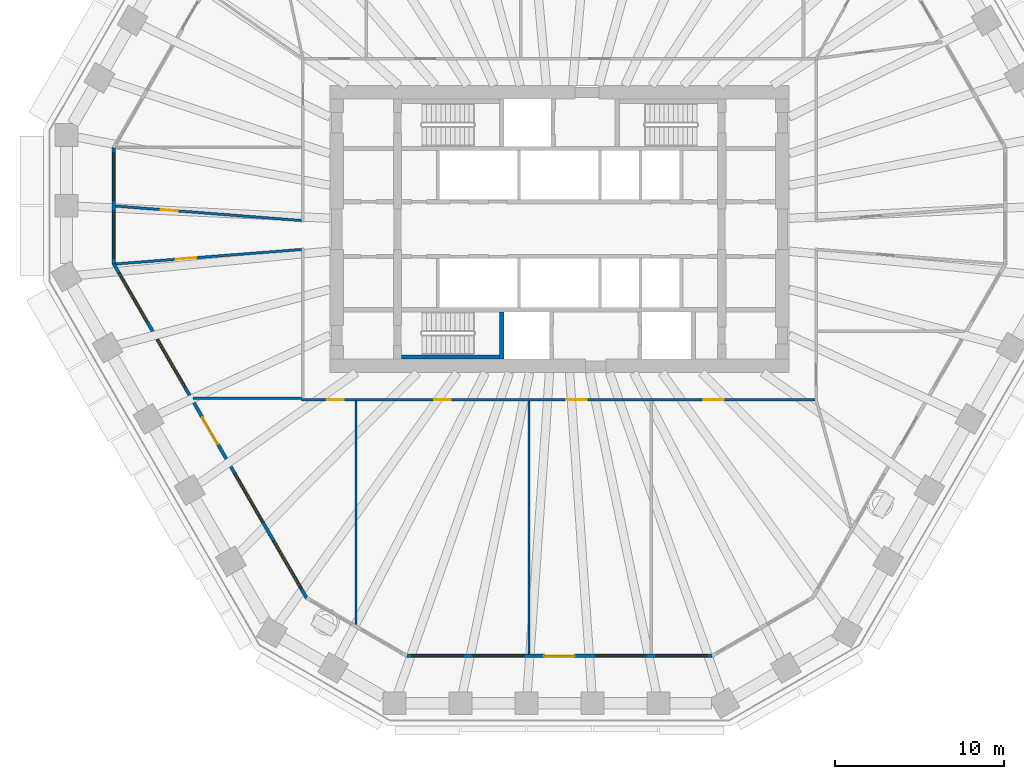
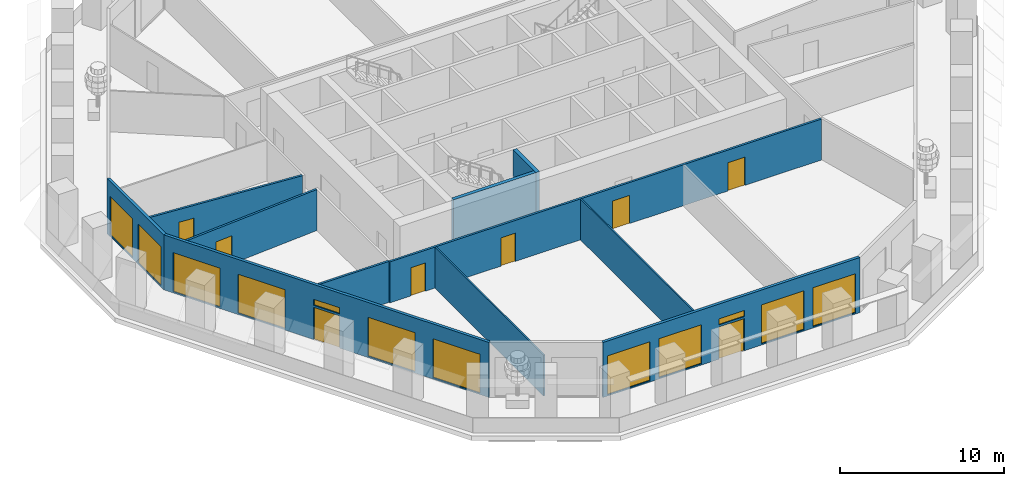
# One storey, part 3 of 12: 12 windows, 11 walls, 8 doors, 20 openings.
"""IFC4 building model written with IfcOpenShell, lengths in metres."""

import ifcopenshell
import ifcopenshell.guid

model = None  # the IFC model being written
_history = None  # IfcOwnerHistory: only IFC2X3 demands one
_inside = {}  # id of a spatial element -> (the spatial element, [elements in it])
_under = {}  # id of a project, library or spatial element -> (it, [spatial elements below it])
_declared = {}  # id of a project -> (the project, [libraries it declares])
_typed = {}  # id of a type object -> (the type object, [elements of that type])
_made_of = {}  # id of a material, layer set ... -> (it, [elements and type objects made of it])


def new_model(schema):
    """Start an empty IFC model of exactly this schema.

    Asked for "IFC4X3", IfcOpenShell would pick the latest addendum, in which some entities
    have other attributes; the version numbers below select the first issue.
    IFC2X3 requires an IfcOwnerHistory on every rooted entity: one is made here for all.
    """
    global model, _history
    if schema == "IFC4X3":
        model = ifcopenshell.file(schema_version=(4, 3, 0, 0))
    else:
        model = ifcopenshell.file(schema=schema)
    _inside.clear()
    _under.clear()
    _declared.clear()
    _typed.clear()
    _made_of.clear()
    _history = None
    if model.schema == "IFC2X3":
        org = make("IfcOrganization", Name="unknown")
        user = make(
            "IfcPersonAndOrganization",
            ThePerson=make("IfcPerson", FamilyName="unknown"),
            TheOrganization=org,
        )
        app = make(
            "IfcApplication",
            ApplicationDeveloper=org,
            Version="unknown",
            ApplicationFullName="unknown",
            ApplicationIdentifier="unknown",
        )
        _history = make(
            "IfcOwnerHistory",
            OwningUser=user,
            OwningApplication=app,
            ChangeAction="ADDED",
            CreationDate=0,
        )
    return model


def make(cls, **values):
    """One entity of the class cls with the attributes given. An attribute that is None is left unset."""
    return model.create_entity(
        cls, **{name: value for name, value in values.items() if value is not None}
    )


def rooted(cls, **values):
    """An entity with a GlobalId (a new one), such as an element, a storey or a relation."""
    return make(cls, GlobalId=ifcopenshell.guid.new(), OwnerHistory=_history, **values)


def si_unit(unit_type, name, prefix=None):
    """IfcSIUnit, for example si_unit("LENGTHUNIT", "METRE", prefix="MILLI")."""
    return make("IfcSIUnit", UnitType=unit_type, Prefix=prefix, Name=name)


def assignment(units):
    """IfcUnitAssignment: the units of a project."""
    return None if units is None else make("IfcUnitAssignment", Units=units)


def point(xyz):
    """IfcCartesianPoint."""
    return None if xyz is None else make("IfcCartesianPoint", Coordinates=xyz)


def direction(xyz):
    """IfcDirection."""
    return None if xyz is None else make("IfcDirection", DirectionRatios=xyz)


def frame(location, z_axis=None, x_axis=None):
    """IfcAxis2Placement3D, a coordinate frame: its origin and axes. An axis left out is left unset."""
    return make(
        "IfcAxis2Placement3D",
        Location=point(location),
        Axis=direction(z_axis),
        RefDirection=direction(x_axis),
    )


def frame_2d(location, x_axis=None):
    """IfcAxis2Placement2D, a coordinate frame in the plane: its origin and x axis."""
    return make(
        "IfcAxis2Placement2D", Location=point(location), RefDirection=direction(x_axis)
    )


def origin():
    """The frame at (0, 0, 0) with its axes left unset."""
    return frame((0.0, 0.0, 0.0))


def place(relative_to, where):
    """IfcLocalPlacement: puts the frame where relative to a parent placement (None: the world)."""
    return make(
        "IfcLocalPlacement", PlacementRelTo=relative_to, RelativePlacement=where
    )


def context(
    kind, dimensions, precision=None, world=None, true_north=None, identifier=None
):
    """IfcGeometricRepresentationContext, for example the 3D "Model" context."""
    return make(
        "IfcGeometricRepresentationContext",
        ContextIdentifier=identifier,
        ContextType=kind,
        CoordinateSpaceDimension=dimensions,
        Precision=precision,
        WorldCoordinateSystem=world,
        TrueNorth=true_north,
    )


def subcontext(parent, identifier, kind, view, scale=None):
    """IfcGeometricRepresentationSubContext, for example "Body" below "Model"."""
    return make(
        "IfcGeometricRepresentationSubContext",
        ContextIdentifier=identifier,
        ContextType=kind,
        ParentContext=parent,
        TargetScale=scale,
        TargetView=view,
    )


def project(units=None, contexts=None):
    """IfcProject with its units and contexts."""
    return rooted(
        "IfcProject",
        Name="project",
        RepresentationContexts=contexts,
        UnitsInContext=assignment(units),
    )


def spatial(cls, under=None, at=None, **own):
    """A site, building, storey or space (cls), placed at a placement, below another one or the project."""
    s = rooted(cls, ObjectPlacement=at, **own)
    if under is not None:
        _under.setdefault(under.id(), (under, []))[1].append(s)
    return s


def polyline(points):
    """IfcPolyline through the points."""
    return make("IfcPolyline", Points=[point(p) for p in points])


def profile(cls, at=None, kind="AREA", **sizes):
    """A parametric profile (cls). Its sizes go by their IFC names, for example OverallWidth=200.0."""
    return make(cls, ProfileType=kind, Position=at, **sizes)


def rectangle(**sizes):
    """IfcRectangleProfileDef."""
    return profile("IfcRectangleProfileDef", **sizes)


def outline(outer, holes=None, kind="AREA"):
    """IfcArbitraryClosedProfileDef: a profile drawn as a closed curve; with holes, ...WithVoids."""
    if holes is None:
        return make("IfcArbitraryClosedProfileDef", ProfileType=kind, OuterCurve=outer)
    return make(
        "IfcArbitraryProfileDefWithVoids",
        ProfileType=kind,
        OuterCurve=outer,
        InnerCurves=holes,
    )


def extrude(swept, where, along, depth):
    """IfcExtrudedAreaSolid: the profile swept, set in the frame where, extruded along a direction by depth."""
    return make(
        "IfcExtrudedAreaSolid",
        SweptArea=swept,
        Position=where,
        ExtrudedDirection=direction(along),
        Depth=depth,
    )


def shape(context_of_items, identifier, shape_type, items):
    """IfcShapeRepresentation: the items that make up one representation, for example the "Body"."""
    return make(
        "IfcShapeRepresentation",
        ContextOfItems=context_of_items,
        RepresentationIdentifier=identifier,
        RepresentationType=shape_type,
        Items=items,
    )


def material(Name=None, Category=None):
    """IfcMaterial."""
    return make("IfcMaterial", Name=Name, Category=Category)


def layer(
    of_material, thickness, ventilated=None, Name=None, Category=None, Priority=None
):
    """IfcMaterialLayer: one layer of a wall or slab, of a material (None: an air gap)."""
    return make(
        "IfcMaterialLayer",
        Material=of_material,
        LayerThickness=thickness,
        IsVentilated=ventilated,
        Name=Name,
        Category=Category,
        Priority=Priority,
    )


def layer_set(layers, Name=None):
    """IfcMaterialLayerSet."""
    return make("IfcMaterialLayerSet", MaterialLayers=layers, LayerSetName=Name)


def made_of(thing, what):
    """Note that an element or type object is made of a material, layer set ...; save() writes the relation."""
    if what is not None:
        _made_of.setdefault(what.id(), (what, []))[1].append(thing)
    return thing


def type_object(cls, material=None, **own):
    """A type object (cls), such as IfcWallType, which elements share."""
    return made_of(rooted(cls, **own), material)


def element(
    cls,
    number,
    at=None,
    inside=None,
    cuts=None,
    type_object=None,
    material=None,
    context=None,
    identifier="Body",
    shape_type=None,
    held_by="IfcProductDefinitionShape",
    body=None,
    shapes=None,
    **own,
):
    """One element of the class cls, such as IfcWall. Its Tag is "e" and its number.

    at: its placement. inside: the storey or other place that contains it. cuts: it is an
    opening in that element (IfcRelVoidsElement). A single representation is given by context,
    identifier, shape_type and body (its items); several are given by shapes. held_by: the class
    of the entity that holds the representations. save() writes the other relations.
    """
    e = rooted(cls, Tag="e%d" % number, ObjectPlacement=at, **own)
    if body is not None:
        shapes = [shape(context, identifier, shape_type, body)]
    if shapes is not None:
        e.Representation = make(held_by, Representations=shapes)
    if inside is not None:
        _inside.setdefault(inside.id(), (inside, []))[1].append(e)
    if cuts is not None:
        rooted(
            "IfcRelVoidsElement", RelatingBuildingElement=cuts, RelatedOpeningElement=e
        )
    if type_object is not None:
        _typed.setdefault(type_object.id(), (type_object, []))[1].append(e)
    return made_of(e, material)


def fill(opening, filler):
    """IfcRelFillsElement: the door or window that sits in an opening."""
    return rooted(
        "IfcRelFillsElement",
        RelatingOpeningElement=opening,
        RelatedBuildingElement=filler,
    )


def aggregate(whole, parts):
    """IfcRelAggregates: a whole, such as a stair, and the parts it consists of."""
    return rooted("IfcRelAggregates", RelatingObject=whole, RelatedObjects=parts)


def save(model, path):
    """Write the relations noted so far, then the file.

    IfcRelAggregates (storeys below a building ...), IfcRelContainedInSpatialStructure (elements
    in a storey), IfcRelDefinesByType, IfcRelAssociatesMaterial and IfcRelDeclares: one each for
    every whole, place, type object, material and project.
    """
    for whole, parts in _under.values():
        aggregate(whole, parts)
    for where, things in _inside.values():
        rooted(
            "IfcRelContainedInSpatialStructure",
            RelatedElements=things,
            RelatingStructure=where,
        )
    for kind, things in _typed.values():
        rooted("IfcRelDefinesByType", RelatedObjects=things, RelatingType=kind)
    for what, things in _made_of.values():
        rooted("IfcRelAssociatesMaterial", RelatedObjects=things, RelatingMaterial=what)
    for by, libraries in _declared.values():
        rooted("IfcRelDeclares", RelatingContext=by, RelatedDefinitions=libraries)
    model.write(path)


model = new_model("IFC4")

# Units and contexts
model_context = context("Model", 3, precision=1e-05, world=origin(), true_north=direction((0.0, 1.0)))
body_context = subcontext(model_context, "Body", "Model", "MODEL_VIEW")
ifc_project = project(units=[si_unit("LENGTHUNIT", "METRE"), si_unit("AREAUNIT", "SQUARE_METRE"), si_unit("VOLUMEUNIT", "CUBIC_METRE"), si_unit("PLANEANGLEUNIT", "RADIAN"), si_unit("MASSUNIT", "GRAM", prefix="KILO")], contexts=[model_context])

# Site, building, storey
site_placement = place(None, origin())
site = spatial("IfcSite", under=ifc_project, at=site_placement, CompositionType="ELEMENT")
building_placement = place(site_placement, origin())
building = spatial("IfcBuilding", under=site, at=building_placement, Name="Frailejon Research Tower", CompositionType="ELEMENT")
storey_placement = place(building_placement, frame((0.0, 0.0, 130.800048828125)))
storey = spatial("IfcBuildingStorey", under=building, at=storey_placement, Name="L28", CompositionType="ELEMENT", Elevation=130.800048828125)

# Wall, opening, door
ifc_material_1 = material(Name="Gypsum board and masonry partition", Category="masonry")
ifc_layer_1 = layer(ifc_material_1, 0.14990234375)
ifc_layer_set_1 = layer_set([ifc_layer_1], Name="Corridor wall EI 60, gypsum on steel studs 150")
wall_type_1 = type_object("IfcWallType", Name="Corridor wall EI 60, gypsum on steel studs 150", PredefinedType="PARTITIONING", material=ifc_layer_set_1)
wall_1_placement = place(storey_placement, frame((-26.31103515625, 1.3671875, 0.0), z_axis=(0.0, 0.0, 1.0), x_axis=(0.996973369859, -0.077743808706, 0.0)))
wall_1 = element("IfcWall", 1, at=wall_1_placement, inside=storey, type_object=wall_type_1, Name="T:IW:L28:001", PredefinedType="PARTITIONING", context=body_context, shape_type="SweptSolid", body=[
    extrude(rectangle(XDim=11.069580078125, YDim=0.14990234375, at=frame_2d((5.53466796875, 0.0))), origin(), (0.0, 0.0, 1.0), 3.050048828125),
])
opening_1_placement = place(wall_1_placement, frame((2.711181640625, 0.0, 0.0)))
opening_1 = element("IfcOpeningElement", 2, at=opening_1_placement, cuts=wall_1, Name="Opening D1671", PredefinedType="OPENING", context=body_context, shape_type="SweptSolid", body=[
    extrude(rectangle(XDim=1.0, YDim=2.10009765625, at=frame_2d((0.5, 1.050048828125))), frame((0.0, 0.0849609375, 0.0), z_axis=(0.0, -1.0, 0.0), x_axis=(1.0, 0.0, 0.0)), (0.0, 0.0, 1.0), 0.169921875),
])
ifc_material_2 = material(Name="Timber door leaf", Category="wood")
door_type_1 = type_object("IfcDoorType", Name="Door single leaf, timber, steel frame 1000", OperationType="NOTDEFINED", PredefinedType="DOOR", material=ifc_material_2)
door_1_placement = place(opening_1_placement, origin())
door_1 = element("IfcDoor", 3, at=door_1_placement, inside=storey, type_object=door_type_1, Name="D1671", OperationType="SINGLE_SWING_LEFT", OverallHeight=2.10009765625, OverallWidth=1.0, PredefinedType="DOOR", context=body_context, shape_type="SweptSolid", body=[
    extrude(rectangle(XDim=1.0, YDim=2.10009765625, at=frame_2d((0.5, 1.050048828125))), frame((0.0, 0.02490234375, 0.0), z_axis=(0.0, -1.0, 0.0), x_axis=(1.0, 0.0, 0.0)), (0.0, 0.0, 1.0), 0.050048828125),
])
fill(opening_1, door_1)

wall_2_placement = place(storey_placement, frame((-26.290283203125, -2.064208984375, 0.0), z_axis=(0.0, 0.0, 1.0), x_axis=(0.99697229372, 0.077757607695, 0.0)))
wall_2 = element("IfcWall", 4, at=wall_2_placement, inside=storey, type_object=wall_type_1, Name="T:IW:L28:002", PredefinedType="PARTITIONING", context=body_context, shape_type="SweptSolid", body=[
    extrude(rectangle(XDim=11.048828125, YDim=0.14990234375, at=frame_2d((5.5244140625, 0.0))), origin(), (0.0, 0.0, 1.0), 3.050048828125),
])
opening_2_placement = place(wall_2_placement, frame((3.578369140625, 0.0, 0.0)))
opening_2 = element("IfcOpeningElement", 5, at=opening_2_placement, cuts=wall_2, Name="Opening D1672", PredefinedType="OPENING", context=body_context, shape_type="SweptSolid", body=[
    extrude(rectangle(XDim=1.199951171875, YDim=2.10009765625, at=frame_2d((0.60009765625, 1.050048828125))), frame((0.0, 0.0849609375, 0.0), z_axis=(0.0, -1.0, 0.0), x_axis=(1.0, 0.0, 0.0)), (0.0, 0.0, 1.0), 0.169921875),
])
ifc_material_3 = material(Name="Timber door leaf", Category="wood")
door_type_2 = type_object("IfcDoorType", Name="Door laboratory, timber, vision panel 1200", OperationType="NOTDEFINED", PredefinedType="DOOR", material=ifc_material_3)
door_2_placement = place(opening_2_placement, origin())
door_2 = element("IfcDoor", 6, at=door_2_placement, inside=storey, type_object=door_type_2, Name="D1672", OperationType="DOUBLE_DOOR_SINGLE_SWING", OverallHeight=2.10009765625, OverallWidth=1.199951171875, PredefinedType="DOOR", context=body_context, shape_type="SweptSolid", body=[
    extrude(rectangle(XDim=1.199951171875, YDim=2.10009765625, at=frame_2d((0.60009765625, 1.050048828125))), frame((0.0, 0.02490234375, 0.0), z_axis=(0.0, -1.0, 0.0), x_axis=(1.0, 0.0, 0.0)), (0.0, 0.0, 1.0), 0.050048828125),
])
fill(opening_2, door_2)

# Wall, openings, doors
wall_3_placement = place(storey_placement, frame((-15.27490234375, -10.10009765625, 0.0), z_axis=(0.0, 0.0, 1.0), x_axis=(1.0, 0.0, 0.0)))
wall_3 = element("IfcWall", 7, at=wall_3_placement, inside=storey, type_object=wall_type_1, Name="T:IW:L28:008", PredefinedType="PARTITIONING", context=body_context, shape_type="SweptSolid", body=[
    extrude(rectangle(XDim=30.39990234375, YDim=0.14990234375, at=frame_2d((15.199951171875, 0.0))), origin(), (0.0, 0.0, 1.0), 3.050048828125),
])
opening_3_placement = place(wall_3_placement, frame((1.50634765625, 0.0, 0.0)))
opening_3 = element("IfcOpeningElement", 8, at=opening_3_placement, cuts=wall_3, Name="Opening D1673", PredefinedType="OPENING", context=body_context, shape_type="SweptSolid", body=[
    extrude(rectangle(XDim=1.0, YDim=2.10009765625, at=frame_2d((0.5, 1.050048828125))), frame((0.0, 0.0849609375, 0.0), z_axis=(0.0, -1.0, 0.0), x_axis=(1.0, 0.0, 0.0)), (0.0, 0.0, 1.0), 0.169921875),
])
opening_4_placement = place(wall_3_placement, frame((7.840087890625, 0.0, 0.0)))
opening_4 = element("IfcOpeningElement", 9, at=opening_4_placement, cuts=wall_3, Name="Opening D1674", PredefinedType="OPENING", context=body_context, shape_type="SweptSolid", body=[
    extrude(rectangle(XDim=1.0, YDim=2.10009765625, at=frame_2d((0.5, 1.050048828125))), frame((0.0, 0.0849609375, 0.0), z_axis=(0.0, -1.0, 0.0), x_axis=(1.0, 0.0, 0.0)), (0.0, 0.0, 1.0), 0.169921875),
])
opening_5_placement = place(wall_3_placement, frame((15.6845703125, 0.0, 0.0)))
opening_5 = element("IfcOpeningElement", 10, at=opening_5_placement, cuts=wall_3, Name="Opening D1675", PredefinedType="OPENING", context=body_context, shape_type="SweptSolid", body=[
    extrude(rectangle(XDim=1.199951171875, YDim=2.10009765625, at=frame_2d((0.60009765625, 1.050048828125))), frame((0.0, 0.0849609375, 0.0), z_axis=(0.0, -1.0, 0.0), x_axis=(1.0, 0.0, 0.0)), (0.0, 0.0, 1.0), 0.169921875),
])
opening_6_placement = place(wall_3_placement, frame((23.8125, 0.0, 0.0)))
opening_6 = element("IfcOpeningElement", 11, at=opening_6_placement, cuts=wall_3, Name="Opening D1676", PredefinedType="OPENING", context=body_context, shape_type="SweptSolid", body=[
    extrude(rectangle(XDim=1.199951171875, YDim=2.10009765625, at=frame_2d((0.60009765625, 1.050048828125))), frame((0.0, 0.0849609375, 0.0), z_axis=(0.0, -1.0, 0.0), x_axis=(1.0, 0.0, 0.0)), (0.0, 0.0, 1.0), 0.169921875),
])
door_3_placement = place(opening_6_placement, origin())
door_3 = element("IfcDoor", 12, at=door_3_placement, inside=storey, type_object=door_type_2, Name="D1676", OperationType="DOUBLE_DOOR_SINGLE_SWING", OverallHeight=2.10009765625, OverallWidth=1.199951171875, PredefinedType="DOOR", context=body_context, shape_type="SweptSolid", body=[
    extrude(rectangle(XDim=1.199951171875, YDim=2.10009765625, at=frame_2d((0.60009765625, 1.050048828125))), frame((0.0, 0.02490234375, 0.0), z_axis=(0.0, -1.0, 0.0), x_axis=(1.0, 0.0, 0.0)), (0.0, 0.0, 1.0), 0.050048828125),
])
fill(opening_6, door_3)
door_4_placement = place(opening_3_placement, origin())
door_4 = element("IfcDoor", 13, at=door_4_placement, inside=storey, type_object=door_type_1, Name="D1673", OperationType="SINGLE_SWING_RIGHT", OverallHeight=2.10009765625, OverallWidth=1.0, PredefinedType="DOOR", context=body_context, shape_type="SweptSolid", body=[
    extrude(rectangle(XDim=1.0, YDim=2.10009765625, at=frame_2d((0.5, 1.050048828125))), frame((0.0, 0.02490234375, 0.0), z_axis=(0.0, -1.0, 0.0), x_axis=(1.0, 0.0, 0.0)), (0.0, 0.0, 1.0), 0.050048828125),
])
fill(opening_3, door_4)
door_5_placement = place(opening_4_placement, origin())
door_5 = element("IfcDoor", 14, at=door_5_placement, inside=storey, type_object=door_type_1, Name="D1674", OperationType="SINGLE_SWING_LEFT", OverallHeight=2.10009765625, OverallWidth=1.0, PredefinedType="DOOR", context=body_context, shape_type="SweptSolid", body=[
    extrude(rectangle(XDim=1.0, YDim=2.10009765625, at=frame_2d((0.5, 1.050048828125))), frame((0.0, 0.02490234375, 0.0), z_axis=(0.0, -1.0, 0.0), x_axis=(1.0, 0.0, 0.0)), (0.0, 0.0, 1.0), 0.050048828125),
])
fill(opening_4, door_5)
ifc_material_4 = material(Name="Timber door leaf", Category="wood")
door_type_3 = type_object("IfcDoorType", Name="Door single leaf, timber, steel frame 1200", OperationType="NOTDEFINED", PredefinedType="DOOR", material=ifc_material_4)
door_6_placement = place(opening_5_placement, origin())
door_6 = element("IfcDoor", 15, at=door_6_placement, inside=storey, type_object=door_type_3, Name="D1675", OperationType="DOUBLE_DOOR_SINGLE_SWING", OverallHeight=2.10009765625, OverallWidth=1.199951171875, PredefinedType="DOOR", context=body_context, shape_type="SweptSolid", body=[
    extrude(rectangle(XDim=1.199951171875, YDim=2.10009765625, at=frame_2d((0.60009765625, 1.050048828125))), frame((0.0, 0.02490234375, 0.0), z_axis=(0.0, -1.0, 0.0), x_axis=(1.0, 0.0, 0.0)), (0.0, 0.0, 1.0), 0.050048828125),
])
fill(opening_5, door_6)

# Walls
ifc_material_5 = material(Name="Gypsum board and masonry partition", Category="masonry")
ifc_layer_2 = layer(ifc_material_5, 0.14990234375)
ifc_layer_set_2 = layer_set([ifc_layer_2], Name="Laboratory partition, blockwork 150")
wall_type_2 = type_object("IfcWallType", Name="Laboratory partition, blockwork 150", PredefinedType="PARTITIONING", material=ifc_layer_set_2)
wall_4_placement = place(storey_placement, frame((-21.698974609375, -10.016357421875, 0.0), z_axis=(0.0, 0.0, 1.0), x_axis=(1.0, 0.0, 0.0)))
element("IfcWall", 16, at=wall_4_placement, inside=storey, type_object=wall_type_2, Name="T:IW:L28:015", PredefinedType="PARTITIONING", context=body_context, shape_type="SweptSolid", body=[
    extrude(rectangle(XDim=6.424072265625, YDim=0.14990234375, at=frame_2d((3.2119140625, 0.0))), origin(), (0.0, 0.0, 1.0), 3.050048828125),
])
ifc_material_6 = material(Name="Gypsum board and masonry partition", Category="masonry")
ifc_layer_3 = layer(ifc_material_6, 0.10009765625)
ifc_layer_set_3 = layer_set([ifc_layer_3], Name="Partition, gypsum on steel studs 100")
wall_type_3 = type_object("IfcWallType", Name="Partition, gypsum on steel studs 100", PredefinedType="PARTITIONING", material=ifc_layer_set_3)
wall_5_placement = place(storey_placement, frame((-12.05810546875, -23.419921875, 0.0), z_axis=(0.0, 0.0, 1.0), x_axis=(0.0, 1.0, 0.0)))
element("IfcWall", 17, at=wall_5_placement, inside=storey, type_object=wall_type_3, Name="T:IW:L28:023", PredefinedType="PARTITIONING", context=body_context, shape_type="SweptSolid", body=[
    extrude(rectangle(XDim=13.244873046875, YDim=0.10009765625, at=frame_2d((6.62255859375, 0.0))), origin(), (0.0, 0.0, 1.0), 3.050048828125),
])
wall_6_placement = place(storey_placement, frame((-1.8115234375, -25.182861328125, 0.0), z_axis=(0.0, 0.0, 1.0), x_axis=(0.0, 1.0, 0.0)))
element("IfcWall", 18, at=wall_6_placement, inside=storey, type_object=wall_type_3, Name="T:IW:L28:024", PredefinedType="PARTITIONING", context=body_context, shape_type="SweptSolid", body=[
    extrude(rectangle(XDim=15.0078125, YDim=0.10009765625, at=frame_2d((7.50390625, 0.0))), origin(), (0.0, 0.0, 1.0), 3.050048828125),
])
ifc_material_7 = material(Name="Concrete C60/75", Category="concrete")
ifc_layer_4 = layer(ifc_material_7, 0.25)
ifc_layer_set_4 = layer_set([ifc_layer_4], Name="Shaft wall 250 C60/75")
wall_type_4 = type_object("IfcWallType", Name="Shaft wall 250 C60/75", PredefinedType="SOLIDWALL", material=ifc_layer_set_4)
wall_7_placement = place(storey_placement, frame((-9.35009765625, -7.574951171875, 0.0), z_axis=(0.0, 0.0, 1.0), x_axis=(1.0, 0.0, 0.0)))
element("IfcWall", 19, at=wall_7_placement, inside=storey, type_object=wall_type_4, Name="Shaft wall", PredefinedType="SOLIDWALL", context=body_context, shape_type="SweptSolid", body=[
    extrude(rectangle(XDim=5.800048828125, YDim=0.25, at=frame_2d((2.89990234375, 0.0))), origin(), (0.0, 0.0, 1.0), 4.099853515625),
])
wall_8_placement = place(storey_placement, frame((-3.425048828125, -7.699951171875, 0.0), z_axis=(0.0, 0.0, 1.0), x_axis=(0.0, 1.0, 0.0)))
element("IfcWall", 20, at=wall_8_placement, inside=storey, type_object=wall_type_4, Name="Shaft wall", PredefinedType="SOLIDWALL", context=body_context, shape_type="SweptSolid", body=[
    extrude(rectangle(XDim=2.800048828125, YDim=0.25, at=frame_2d((1.39990234375, 0.0))), origin(), (0.0, 0.0, 1.0), 4.099853515625),
])

# Wall, openings, windows
ifc_material_8 = material(Name="Concrete C40/50 precast window wall panel", Category="concrete")
ifc_layer_5 = layer(ifc_material_8, 0.199951171875)
ifc_layer_set_5 = layer_set([ifc_layer_5], Name="Window wall 200")
wall_type_5 = type_object("IfcWallType", Name="Window wall 200", PredefinedType="SOLIDWALL", material=ifc_layer_set_5)
wall_9_placement = place(storey_placement, frame((-26.4111328125, 4.820068359375, 0.0), z_axis=(0.0, 0.0, 1.0), x_axis=(0.0, -1.0, 0.0)))
wall_9 = element("IfcWall", 21, at=wall_9_placement, inside=storey, type_object=wall_type_5, Name="Exterior wall L28", PredefinedType="SOLIDWALL", context=body_context, shape_type="SweptSolid", body=[
    extrude(outline(polyline([(-0.02685546875, -0.10009765625), (1.1279296875, -0.10009765625), (2.28271484375, -0.10009765625), (3.4375, -0.10009765625), (4.592041015625, -0.10009765625), (5.746826171875, -0.10009765625), (6.901611328125, -0.10009765625), (6.847900390625, 0.10009765625), (5.7109375, 0.10009765625), (4.57421875, 0.10009765625), (3.4375, 0.10009765625), (2.300537109375, 0.10009765625), (1.16357421875, 0.10009765625), (0.02685546875, 0.10009765625), (-0.02685546875, -0.10009765625)])), origin(), (0.0, 0.0, 1.0), 4.099853515625),
])
opening_7_placement = place(wall_9_placement, frame((0.318603515625, 0.0, 0.10009765625)))
opening_7 = element("IfcOpeningElement", 22, at=opening_7_placement, cuts=wall_9, Name="Opening W3", PredefinedType="OPENING", context=body_context, shape_type="SweptSolid", body=[
    extrude(rectangle(XDim=2.800048828125, YDim=2.89990234375, at=frame_2d((1.39990234375, 1.449951171875))), frame((0.0, 0.10986328125, 0.0), z_axis=(0.0, -1.0, 0.0), x_axis=(1.0, 0.0, 0.0)), (0.0, 0.0, 1.0), 0.219970703125),
])
opening_8_placement = place(wall_9_placement, frame((3.756103515625, 0.0, 0.10009765625)))
opening_8 = element("IfcOpeningElement", 23, at=opening_8_placement, cuts=wall_9, Name="Opening W3", PredefinedType="OPENING", context=body_context, shape_type="SweptSolid", body=[
    extrude(rectangle(XDim=2.800048828125, YDim=2.89990234375, at=frame_2d((1.39990234375, 1.449951171875))), frame((0.0, 0.10986328125, 0.0), z_axis=(0.0, -1.0, 0.0), x_axis=(1.0, 0.0, 0.0)), (0.0, 0.0, 1.0), 0.219970703125),
])
ifc_material_9 = material(Name="Aluminium framed double glazing", Category="aluminium")
window_type_1 = type_object("IfcWindowType", Name="Window 2800x2900", PartitioningType="SINGLE_PANEL", PredefinedType="WINDOW", material=ifc_material_9)
window_1_placement = place(opening_7_placement, origin())
window_1 = element("IfcWindow", 24, at=window_1_placement, inside=storey, type_object=window_type_1, Name="Window L28", OverallHeight=2.89990234375, OverallWidth=2.800048828125, PartitioningType="SINGLE_PANEL", PredefinedType="WINDOW", context=body_context, shape_type="SweptSolid", body=[
    extrude(rectangle(XDim=2.800048828125, YDim=2.89990234375, at=frame_2d((1.39990234375, 1.449951171875))), frame((0.0, 0.030029296875, 0.0), z_axis=(0.0, -1.0, 0.0), x_axis=(1.0, 0.0, 0.0)), (0.0, 0.0, 1.0), 0.06005859375),
])
fill(opening_7, window_1)
window_2_placement = place(opening_8_placement, origin())
window_2 = element("IfcWindow", 25, at=window_2_placement, inside=storey, type_object=window_type_1, Name="Window L28", OverallHeight=2.89990234375, OverallWidth=2.800048828125, PartitioningType="SINGLE_PANEL", PredefinedType="WINDOW", context=body_context, shape_type="SweptSolid", body=[
    extrude(rectangle(XDim=2.800048828125, YDim=2.89990234375, at=frame_2d((1.39990234375, 1.449951171875))), frame((0.0, 0.030029296875, 0.0), z_axis=(0.0, -1.0, 0.0), x_axis=(1.0, 0.0, 0.0)), (0.0, 0.0, 1.0), 0.06005859375),
])
fill(opening_8, window_2)

# Wall, openings, door, windows
wall_10_placement = place(storey_placement, frame((-26.4111328125, -2.0546875, 0.0), z_axis=(0.0, 0.0, 1.0), x_axis=(0.50000204422, -0.86602422355, 0.0)))
wall_10 = element("IfcWall", 26, at=wall_10_placement, inside=storey, type_object=wall_type_5, Name="Exterior wall L28", PredefinedType="SOLIDWALL", context=body_context, shape_type="SweptSolid", body=[
    extrude(outline(polyline([(-0.02685546875, -0.10009765625), (1.014404296875, -0.10009765625), (2.055419921875, -0.10009765625), (3.0966796875, -0.10009765625), (4.137939453125, -0.10009765625), (5.17919921875, -0.10009765625), (6.22021484375, -0.10009765625), (7.261474609375, -0.10009765625), (8.302734375, -0.10009765625), (9.343994140625, -0.10009765625), (10.385009765625, -0.10009765625), (11.42626953125, -0.10009765625), (12.467529296875, -0.10009765625), (13.508544921875, -0.10009765625), (14.5498046875, -0.10009765625), (15.591064453125, -0.10009765625), (16.63232421875, -0.10009765625), (17.67333984375, -0.10009765625), (18.714599609375, -0.10009765625), (19.755859375, -0.10009765625), (20.797119140625, -0.10009765625), (21.838134765625, -0.10009765625), (22.87939453125, -0.10009765625), (22.82568359375, 0.10009765625), (21.789306640625, 0.10009765625), (20.753173828125, 0.10009765625), (19.716796875, 0.10009765625), (18.680419921875, 0.10009765625), (17.64404296875, 0.10009765625), (16.60791015625, 0.10009765625), (15.571533203125, 0.10009765625), (14.53515625, 0.10009765625), (13.498779296875, 0.10009765625), (12.462646484375, 0.10009765625), (11.42626953125, 0.10009765625), (10.389892578125, 0.10009765625), (9.353759765625, 0.10009765625), (8.3173828125, 0.10009765625), (7.281005859375, 0.10009765625), (6.24462890625, 0.10009765625), (5.20849609375, 0.10009765625), (4.172119140625, 0.10009765625), (3.1357421875, 0.10009765625), (2.099365234375, 0.10009765625), (1.063232421875, 0.10009765625), (0.02685546875, 0.10009765625), (-0.02685546875, -0.10009765625)])), origin(), (0.0, 0.0, 1.0), 4.099853515625),
])
opening_9_placement = place(wall_10_placement, frame((0.63525390625, 0.0, 0.10009765625)))
opening_9 = element("IfcOpeningElement", 27, at=opening_9_placement, cuts=wall_10, Name="Opening W5", PredefinedType="OPENING", context=body_context, shape_type="SweptSolid", body=[
    extrude(rectangle(XDim=3.300048828125, YDim=2.89990234375, at=frame_2d((1.64990234375, 1.449951171875))), frame((0.0, 0.10986328125, 0.0), z_axis=(0.0, -1.0, 0.0), x_axis=(1.0, 0.0, 0.0)), (0.0, 0.0, 1.0), 0.219970703125),
])
opening_10_placement = place(wall_10_placement, frame((5.205810546875, 0.0, 0.10009765625)))
opening_10 = element("IfcOpeningElement", 28, at=opening_10_placement, cuts=wall_10, Name="Opening W5", PredefinedType="OPENING", context=body_context, shape_type="SweptSolid", body=[
    extrude(rectangle(XDim=3.300048828125, YDim=2.89990234375, at=frame_2d((1.64990234375, 1.449951171875))), frame((0.0, 0.10986328125, 0.0), z_axis=(0.0, -1.0, 0.0), x_axis=(1.0, 0.0, 0.0)), (0.0, 0.0, 1.0), 0.219970703125),
])
opening_11_placement = place(wall_10_placement, frame((10.5263671875, 0.0, 0.0)))
opening_11 = element("IfcOpeningElement", 29, at=opening_11_placement, cuts=wall_10, Name="Opening LG28-4", PredefinedType="OPENING", context=body_context, shape_type="SweptSolid", body=[
    extrude(rectangle(XDim=1.800048828125, YDim=2.39990234375, at=frame_2d((0.89990234375, 1.199951171875))), frame((0.0, 0.10986328125, 0.0), z_axis=(0.0, -1.0, 0.0), x_axis=(1.0, 0.0, 0.0)), (0.0, 0.0, 1.0), 0.219970703125),
])
opening_12_placement = place(wall_10_placement, frame((10.5263671875, 0.0, 2.550048828125)))
opening_12 = element("IfcOpeningElement", 30, at=opening_12_placement, cuts=wall_10, Name="Opening W1", PredefinedType="OPENING", context=body_context, shape_type="SweptSolid", body=[
    extrude(rectangle(XDim=1.800048828125, YDim=0.449951171875, at=frame_2d((0.89990234375, 0.22509765625))), frame((0.0, 0.10986328125, 0.0), z_axis=(0.0, -1.0, 0.0), x_axis=(1.0, 0.0, 0.0)), (0.0, 0.0, 1.0), 0.219970703125),
])
opening_13_placement = place(wall_10_placement, frame((14.3466796875, 0.0, 0.10009765625)))
opening_13 = element("IfcOpeningElement", 31, at=opening_13_placement, cuts=wall_10, Name="Opening W5", PredefinedType="OPENING", context=body_context, shape_type="SweptSolid", body=[
    extrude(rectangle(XDim=3.300048828125, YDim=2.89990234375, at=frame_2d((1.64990234375, 1.449951171875))), frame((0.0, 0.10986328125, 0.0), z_axis=(0.0, -1.0, 0.0), x_axis=(1.0, 0.0, 0.0)), (0.0, 0.0, 1.0), 0.219970703125),
])
opening_14_placement = place(wall_10_placement, frame((18.917236328125, 0.0, 0.10009765625)))
opening_14 = element("IfcOpeningElement", 32, at=opening_14_placement, cuts=wall_10, Name="Opening W5", PredefinedType="OPENING", context=body_context, shape_type="SweptSolid", body=[
    extrude(rectangle(XDim=3.300048828125, YDim=2.89990234375, at=frame_2d((1.64990234375, 1.449951171875))), frame((0.0, 0.10986328125, 0.0), z_axis=(0.0, -1.0, 0.0), x_axis=(1.0, 0.0, 0.0)), (0.0, 0.0, 1.0), 0.219970703125),
])
ifc_material_10 = material(Name="Aluminium framed glazed door leaf", Category="aluminium")
door_type_4 = type_object("IfcDoorType", Name="Loggia door 1800x2400", OperationType="DOUBLE_DOOR_SINGLE_SWING", PredefinedType="DOOR", material=ifc_material_10)
door_7_placement = place(opening_11_placement, origin())
door_7 = element("IfcDoor", 33, at=door_7_placement, inside=storey, type_object=door_type_4, Name="Door LG28-4", OperationType="DOUBLE_DOOR_SINGLE_SWING", OverallHeight=2.39990234375, OverallWidth=1.800048828125, PredefinedType="DOOR", context=body_context, shape_type="SweptSolid", body=[
    extrude(rectangle(XDim=1.800048828125, YDim=2.39990234375, at=frame_2d((0.89990234375, 1.199951171875))), frame((0.0, 0.02490234375, 0.0), z_axis=(0.0, -1.0, 0.0), x_axis=(1.0, 0.0, 0.0)), (0.0, 0.0, 1.0), 0.050048828125),
])
fill(opening_11, door_7)
ifc_material_11 = material(Name="Aluminium framed double glazing", Category="aluminium")
window_type_2 = type_object("IfcWindowType", Name="Window 1800x450", PartitioningType="SINGLE_PANEL", PredefinedType="WINDOW", material=ifc_material_11)
window_3_placement = place(opening_12_placement, origin())
window_3 = element("IfcWindow", 34, at=window_3_placement, inside=storey, type_object=window_type_2, Name="Window L28", OverallHeight=0.449951171875, OverallWidth=1.800048828125, PartitioningType="SINGLE_PANEL", PredefinedType="WINDOW", context=body_context, shape_type="SweptSolid", body=[
    extrude(rectangle(XDim=1.800048828125, YDim=0.449951171875, at=frame_2d((0.89990234375, 0.22509765625))), frame((0.0, 0.030029296875, 0.0), z_axis=(0.0, -1.0, 0.0), x_axis=(1.0, 0.0, 0.0)), (0.0, 0.0, 1.0), 0.06005859375),
])
fill(opening_12, window_3)
ifc_material_12 = material(Name="Aluminium framed double glazing", Category="aluminium")
window_type_3 = type_object("IfcWindowType", Name="Window 3300x2900", PartitioningType="SINGLE_PANEL", PredefinedType="WINDOW", material=ifc_material_12)
window_4_placement = place(opening_9_placement, origin())
window_4 = element("IfcWindow", 35, at=window_4_placement, inside=storey, type_object=window_type_3, Name="Window L28", OverallHeight=2.89990234375, OverallWidth=3.300048828125, PartitioningType="SINGLE_PANEL", PredefinedType="WINDOW", context=body_context, shape_type="SweptSolid", body=[
    extrude(rectangle(XDim=3.300048828125, YDim=2.89990234375, at=frame_2d((1.64990234375, 1.449951171875))), frame((0.0, 0.030029296875, 0.0), z_axis=(0.0, -1.0, 0.0), x_axis=(1.0, 0.0, 0.0)), (0.0, 0.0, 1.0), 0.06005859375),
])
fill(opening_9, window_4)
window_5_placement = place(opening_10_placement, origin())
window_5 = element("IfcWindow", 36, at=window_5_placement, inside=storey, type_object=window_type_3, Name="Window L28", OverallHeight=2.89990234375, OverallWidth=3.300048828125, PartitioningType="SINGLE_PANEL", PredefinedType="WINDOW", context=body_context, shape_type="SweptSolid", body=[
    extrude(rectangle(XDim=3.300048828125, YDim=2.89990234375, at=frame_2d((1.64990234375, 1.449951171875))), frame((0.0, 0.030029296875, 0.0), z_axis=(0.0, -1.0, 0.0), x_axis=(1.0, 0.0, 0.0)), (0.0, 0.0, 1.0), 0.06005859375),
])
fill(opening_10, window_5)
window_6_placement = place(opening_13_placement, origin())
window_6 = element("IfcWindow", 37, at=window_6_placement, inside=storey, type_object=window_type_3, Name="Window L28", OverallHeight=2.89990234375, OverallWidth=3.300048828125, PartitioningType="SINGLE_PANEL", PredefinedType="WINDOW", context=body_context, shape_type="SweptSolid", body=[
    extrude(rectangle(XDim=3.300048828125, YDim=2.89990234375, at=frame_2d((1.64990234375, 1.449951171875))), frame((0.0, 0.030029296875, 0.0), z_axis=(0.0, -1.0, 0.0), x_axis=(1.0, 0.0, 0.0)), (0.0, 0.0, 1.0), 0.06005859375),
])
fill(opening_13, window_6)
window_7_placement = place(opening_14_placement, origin())
window_7 = element("IfcWindow", 38, at=window_7_placement, inside=storey, type_object=window_type_3, Name="Window L28", OverallHeight=2.89990234375, OverallWidth=3.300048828125, PartitioningType="SINGLE_PANEL", PredefinedType="WINDOW", context=body_context, shape_type="SweptSolid", body=[
    extrude(rectangle(XDim=3.300048828125, YDim=2.89990234375, at=frame_2d((1.64990234375, 1.449951171875))), frame((0.0, 0.030029296875, 0.0), z_axis=(0.0, -1.0, 0.0), x_axis=(1.0, 0.0, 0.0)), (0.0, 0.0, 1.0), 0.06005859375),
])
fill(opening_14, window_7)

wall_11_placement = place(storey_placement, frame((-9.03125, -25.28271484375, 0.0), z_axis=(0.0, 0.0, 1.0), x_axis=(1.0, 0.0, 0.0)))
wall_11 = element("IfcWall", 39, at=wall_11_placement, inside=storey, type_object=wall_type_5, Name="Exterior wall L28", PredefinedType="SOLIDWALL", context=body_context, shape_type="SweptSolid", body=[
    extrude(outline(polyline([(-0.02685546875, -0.10009765625), (0.9794921875, -0.10009765625), (1.986083984375, -0.10009765625), (2.992431640625, -0.10009765625), (3.9990234375, -0.10009765625), (5.00537109375, -0.10009765625), (6.011962890625, -0.10009765625), (7.018310546875, -0.10009765625), (8.02490234375, -0.10009765625), (9.03125, -0.10009765625), (10.03759765625, -0.10009765625), (11.044189453125, -0.10009765625), (12.050537109375, -0.10009765625), (13.05712890625, -0.10009765625), (14.0634765625, -0.10009765625), (15.070068359375, -0.10009765625), (16.076416015625, -0.10009765625), (17.0830078125, -0.10009765625), (18.08935546875, -0.10009765625), (18.03564453125, 0.10009765625), (17.03515625, 0.10009765625), (16.03466796875, 0.10009765625), (15.0341796875, 0.10009765625), (14.03369140625, 0.10009765625), (13.033203125, 0.10009765625), (12.03271484375, 0.10009765625), (11.0322265625, 0.10009765625), (10.03173828125, 0.10009765625), (9.03125, 0.10009765625), (8.03076171875, 0.10009765625), (7.0302734375, 0.10009765625), (6.02978515625, 0.10009765625), (5.029296875, 0.10009765625), (4.02880859375, 0.10009765625), (3.0283203125, 0.10009765625), (2.02783203125, 0.10009765625), (1.02734375, 0.10009765625), (0.02685546875, 0.10009765625), (-0.02685546875, -0.10009765625)])), origin(), (0.0, 0.0, 1.0), 4.099853515625),
])
opening_15_placement = place(wall_11_placement, frame((0.306396484375, 0.0, 0.10009765625)))
opening_15 = element("IfcOpeningElement", 40, at=opening_15_placement, cuts=wall_11, Name="Opening W4", PredefinedType="OPENING", context=body_context, shape_type="SweptSolid", body=[
    extrude(rectangle(XDim=3.0, YDim=2.89990234375, at=frame_2d((1.5, 1.449951171875))), frame((0.0, 0.10986328125, 0.0), z_axis=(0.0, -1.0, 0.0), x_axis=(1.0, 0.0, 0.0)), (0.0, 0.0, 1.0), 0.219970703125),
])
opening_16_placement = place(wall_11_placement, frame((3.918701171875, 0.0, 0.10009765625)))
opening_16 = element("IfcOpeningElement", 41, at=opening_16_placement, cuts=wall_11, Name="Opening W4", PredefinedType="OPENING", context=body_context, shape_type="SweptSolid", body=[
    extrude(rectangle(XDim=3.0, YDim=2.89990234375, at=frame_2d((1.5, 1.449951171875))), frame((0.0, 0.10986328125, 0.0), z_axis=(0.0, -1.0, 0.0), x_axis=(1.0, 0.0, 0.0)), (0.0, 0.0, 1.0), 0.219970703125),
])
opening_17_placement = place(wall_11_placement, frame((8.13134765625, 0.0, 0.0)))
opening_17 = element("IfcOpeningElement", 42, at=opening_17_placement, cuts=wall_11, Name="Opening LG28-5", PredefinedType="OPENING", context=body_context, shape_type="SweptSolid", body=[
    extrude(rectangle(XDim=1.800048828125, YDim=2.39990234375, at=frame_2d((0.89990234375, 1.199951171875))), frame((0.0, 0.10986328125, 0.0), z_axis=(0.0, -1.0, 0.0), x_axis=(1.0, 0.0, 0.0)), (0.0, 0.0, 1.0), 0.219970703125),
])
opening_18_placement = place(wall_11_placement, frame((8.13134765625, 0.0, 2.550048828125)))
opening_18 = element("IfcOpeningElement", 43, at=opening_18_placement, cuts=wall_11, Name="Opening W1", PredefinedType="OPENING", context=body_context, shape_type="SweptSolid", body=[
    extrude(rectangle(XDim=1.800048828125, YDim=0.449951171875, at=frame_2d((0.89990234375, 0.22509765625))), frame((0.0, 0.10986328125, 0.0), z_axis=(0.0, -1.0, 0.0), x_axis=(1.0, 0.0, 0.0)), (0.0, 0.0, 1.0), 0.219970703125),
])
opening_19_placement = place(wall_11_placement, frame((11.143798828125, 0.0, 0.10009765625)))
opening_19 = element("IfcOpeningElement", 44, at=opening_19_placement, cuts=wall_11, Name="Opening W4", PredefinedType="OPENING", context=body_context, shape_type="SweptSolid", body=[
    extrude(rectangle(XDim=3.0, YDim=2.89990234375, at=frame_2d((1.5, 1.449951171875))), frame((0.0, 0.10986328125, 0.0), z_axis=(0.0, -1.0, 0.0), x_axis=(1.0, 0.0, 0.0)), (0.0, 0.0, 1.0), 0.219970703125),
])
opening_20_placement = place(wall_11_placement, frame((14.75634765625, 0.0, 0.10009765625)))
opening_20 = element("IfcOpeningElement", 45, at=opening_20_placement, cuts=wall_11, Name="Opening W4", PredefinedType="OPENING", context=body_context, shape_type="SweptSolid", body=[
    extrude(rectangle(XDim=3.0, YDim=2.89990234375, at=frame_2d((1.5, 1.449951171875))), frame((0.0, 0.10986328125, 0.0), z_axis=(0.0, -1.0, 0.0), x_axis=(1.0, 0.0, 0.0)), (0.0, 0.0, 1.0), 0.219970703125),
])
door_8_placement = place(opening_17_placement, origin())
door_8 = element("IfcDoor", 46, at=door_8_placement, inside=storey, type_object=door_type_4, Name="Door LG28-5", OperationType="DOUBLE_DOOR_SINGLE_SWING", OverallHeight=2.39990234375, OverallWidth=1.800048828125, PredefinedType="DOOR", context=body_context, shape_type="SweptSolid", body=[
    extrude(rectangle(XDim=1.800048828125, YDim=2.39990234375, at=frame_2d((0.89990234375, 1.199951171875))), frame((0.0, 0.02490234375, 0.0), z_axis=(0.0, -1.0, 0.0), x_axis=(1.0, 0.0, 0.0)), (0.0, 0.0, 1.0), 0.050048828125),
])
fill(opening_17, door_8)
window_8_placement = place(opening_18_placement, origin())
window_8 = element("IfcWindow", 47, at=window_8_placement, inside=storey, type_object=window_type_2, Name="Window L28", OverallHeight=0.449951171875, OverallWidth=1.800048828125, PartitioningType="SINGLE_PANEL", PredefinedType="WINDOW", context=body_context, shape_type="SweptSolid", body=[
    extrude(rectangle(XDim=1.800048828125, YDim=0.449951171875, at=frame_2d((0.89990234375, 0.22509765625))), frame((0.0, 0.030029296875, 0.0), z_axis=(0.0, -1.0, 0.0), x_axis=(1.0, 0.0, 0.0)), (0.0, 0.0, 1.0), 0.06005859375),
])
fill(opening_18, window_8)
ifc_material_13 = material(Name="Aluminium framed double glazing", Category="aluminium")
window_type_4 = type_object("IfcWindowType", Name="Window 3000x2900", PartitioningType="SINGLE_PANEL", PredefinedType="WINDOW", material=ifc_material_13)
window_9_placement = place(opening_15_placement, origin())
window_9 = element("IfcWindow", 48, at=window_9_placement, inside=storey, type_object=window_type_4, Name="Window L28", OverallHeight=2.89990234375, OverallWidth=3.0, PartitioningType="SINGLE_PANEL", PredefinedType="WINDOW", context=body_context, shape_type="SweptSolid", body=[
    extrude(rectangle(XDim=3.0, YDim=2.89990234375, at=frame_2d((1.5, 1.449951171875))), frame((0.0, 0.030029296875, 0.0), z_axis=(0.0, -1.0, 0.0), x_axis=(1.0, 0.0, 0.0)), (0.0, 0.0, 1.0), 0.06005859375),
])
fill(opening_15, window_9)
window_10_placement = place(opening_16_placement, origin())
window_10 = element("IfcWindow", 49, at=window_10_placement, inside=storey, type_object=window_type_4, Name="Window L28", OverallHeight=2.89990234375, OverallWidth=3.0, PartitioningType="SINGLE_PANEL", PredefinedType="WINDOW", context=body_context, shape_type="SweptSolid", body=[
    extrude(rectangle(XDim=3.0, YDim=2.89990234375, at=frame_2d((1.5, 1.449951171875))), frame((0.0, 0.030029296875, 0.0), z_axis=(0.0, -1.0, 0.0), x_axis=(1.0, 0.0, 0.0)), (0.0, 0.0, 1.0), 0.06005859375),
])
fill(opening_16, window_10)
window_11_placement = place(opening_19_placement, origin())
window_11 = element("IfcWindow", 50, at=window_11_placement, inside=storey, type_object=window_type_4, Name="Window L28", OverallHeight=2.89990234375, OverallWidth=3.0, PartitioningType="SINGLE_PANEL", PredefinedType="WINDOW", context=body_context, shape_type="SweptSolid", body=[
    extrude(rectangle(XDim=3.0, YDim=2.89990234375, at=frame_2d((1.5, 1.449951171875))), frame((0.0, 0.030029296875, 0.0), z_axis=(0.0, -1.0, 0.0), x_axis=(1.0, 0.0, 0.0)), (0.0, 0.0, 1.0), 0.06005859375),
])
fill(opening_19, window_11)
window_12_placement = place(opening_20_placement, origin())
window_12 = element("IfcWindow", 51, at=window_12_placement, inside=storey, type_object=window_type_4, Name="Window L28", OverallHeight=2.89990234375, OverallWidth=3.0, PartitioningType="SINGLE_PANEL", PredefinedType="WINDOW", context=body_context, shape_type="SweptSolid", body=[
    extrude(rectangle(XDim=3.0, YDim=2.89990234375, at=frame_2d((1.5, 1.449951171875))), frame((0.0, 0.030029296875, 0.0), z_axis=(0.0, -1.0, 0.0), x_axis=(1.0, 0.0, 0.0)), (0.0, 0.0, 1.0), 0.06005859375),
])
fill(opening_20, window_12)

save(model, "model.ifc")
